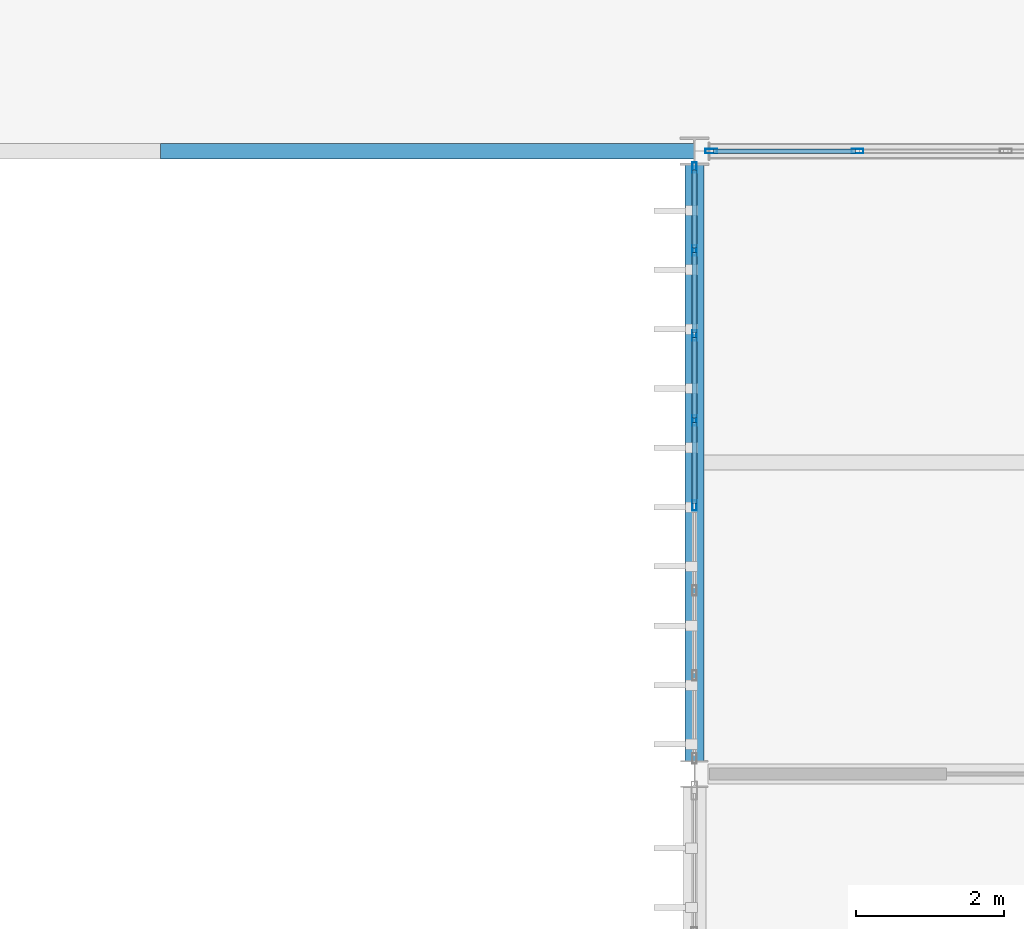
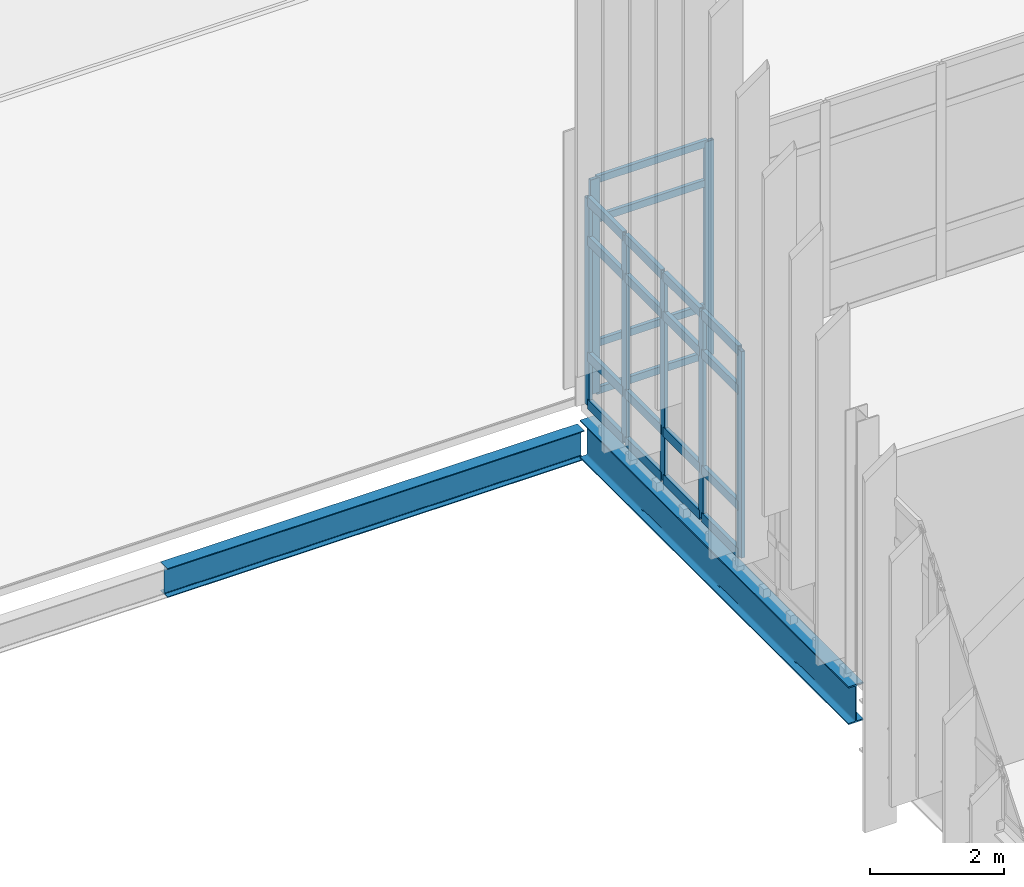
# One storey, part 25 of 153: 27 members, 2 beams, 2 elements without a shape of their own.
"""IFC4 building model written with IfcOpenShell, lengths in metres."""

from ifc_helpers import new_model, si_unit, direction, frame, origin, origin_2d, place, context, subcontext, project, spatial, hollow_rectangle, i_section, extrude, material, layer, layer_set, material_profile, profile_set, type_object, element, aggregate, save


model = new_model("IFC4")

# Units and contexts
model_context = context("Model", 3, precision=1e-05, world=origin(), true_north=direction((0.0, 1.0)))
body_context = subcontext(model_context, "Body", "Model", "MODEL_VIEW")
ifc_project = project(units=[si_unit("LENGTHUNIT", "METRE"), si_unit("AREAUNIT", "SQUARE_METRE"), si_unit("VOLUMEUNIT", "CUBIC_METRE"), si_unit("PLANEANGLEUNIT", "RADIAN"), si_unit("MASSUNIT", "GRAM", prefix="KILO")], contexts=[model_context])

# Site, building, storey
site_placement = place(None, origin())
site = spatial("IfcSite", under=ifc_project, at=site_placement, CompositionType="ELEMENT")
building_placement = place(site_placement, origin())
building = spatial("IfcBuilding", under=site, at=building_placement, Name="Calvrana Isthmian Art Gallery", CompositionType="ELEMENT")
storey_placement = place(building_placement, frame((0.0, 0.0, 10.199951171875)))
storey = spatial("IfcBuildingStorey", under=building, at=storey_placement, Name="L02", CompositionType="ELEMENT", Elevation=10.199951171875)

# Beams
ifc_material_1 = material(Name="Steel ASTM A992 Gr 50", Category="steel")
ifc_material_profile_1 = material_profile(ifc_material_1, i_section(OverallWidth=0.208984375, OverallDepth=0.532958984375, WebThickness=0.01025390625, FlangeThickness=0.015625, FilletRadius=0.02099609375, at=origin_2d()), Name="W21X62")
ifc_profile_set_1 = profile_set([ifc_material_profile_1], Name="Steel ASTM A992 Gr 50")
beam_type_1 = type_object("IfcBeamType", Name="BM-G-W21X62", PredefinedType="BEAM", material=ifc_profile_set_1)
beam_1_placement = place(storey_placement, frame((14.39990234375, 46.800048828125, -0.820068359375), z_axis=(1.0, 0.0, 0.0), x_axis=(0.0, 1.0, 0.0)))
element("IfcBeam", 1, at=beam_1_placement, inside=storey, type_object=beam_type_1, Name="Sloped roof rafter SROOF_V3_S-3", PredefinedType="BEAM", context=body_context, shape_type="SweptSolid", body=[
    extrude(i_section(OverallWidth=0.208984375, OverallDepth=0.532958984375, WebThickness=0.01025390625, FlangeThickness=0.015625, FilletRadius=0.02099609375, at=origin_2d()), origin(), (0.0, 0.0, 1.0), 7.2001953125),
])
ifc_material_profile_2 = material_profile(ifc_material_1, i_section(OverallWidth=0.257080078125, OverallDepth=0.693115234375, WebThickness=0.014404296875, FlangeThickness=0.023681640625, FilletRadius=0.02392578125, at=origin_2d()), Name="W27X114")
ifc_profile_set_2 = profile_set([ifc_material_profile_2], Name="Steel ASTM A992 Gr 50")
beam_type_2 = type_object("IfcBeamType", Name="BM-G-W27X114", PredefinedType="BEAM", material=ifc_profile_set_2)
beam_2_placement = place(storey_placement, frame((21.60009765625, 38.577880859375, -0.611572265625), z_axis=(0.0, 1.0, 0.0), x_axis=(-1.0, 0.0, 0.0)))
element("IfcBeam", 2, at=beam_2_placement, inside=storey, type_object=beam_type_2, Name="Girder Y L02 04/F-G", PredefinedType="BEAM", context=body_context, shape_type="SweptSolid", body=[
    extrude(i_section(OverallWidth=0.257080078125, OverallDepth=0.693115234375, WebThickness=0.014404296875, FlangeThickness=0.023681640625, FilletRadius=0.02392578125, at=origin_2d()), origin(), (0.0, 0.0, 1.0), 8.0341796875),
])

# Curtain wall, members
ifc_material_2 = material(Name="Anodized bronze aluminium 6063-T6", Category="aluminium")
ifc_layer_1 = layer(ifc_material_2, 0.179931640625, Name="Anodized bronze aluminium 6063-T6")
ifc_layer_set_1 = layer_set([ifc_layer_1], Name="Anodized bronze aluminium 6063-T6")
curtain_wall_type_1 = type_object("IfcCurtainWallType", Name="CW-UNIT-080X38", PredefinedType="USERDEFINED", material=ifc_layer_set_1)
curtain_wall_1_placement = place(storey_placement, origin())
curtain_wall_1 = element("IfcCurtainWall", 3, at=curtain_wall_1_placement, inside=storey, type_object=curtain_wall_type_1, Name="Curtain wall CW-168", ObjectType="UNITISED CURTAIN WALL", PredefinedType="USERDEFINED")
ifc_material_profile_3 = material_profile(ifc_material_2, hollow_rectangle(XDim=0.06005859375, YDim=0.139892578125, WallThickness=0.00390625, at=origin_2d()), Name="CWM60X140")
ifc_profile_set_3 = profile_set([ifc_material_profile_3], Name="Anodized bronze aluminium 6063-T6")
member_type_1 = type_object("IfcMemberType", Name="CWM-CWM60X140", PredefinedType="MULLION", material=ifc_profile_set_3)
member_1_placement = place(storey_placement, frame((21.60009765625, 42.02197265625, 0.0), z_axis=(0.0, 0.0, 1.0), x_axis=(-1.0, 0.0, 0.0)))
member_1 = element("IfcMember", 4, at=member_1_placement, type_object=member_type_1, Name="CW-168 mullion 4", PredefinedType="MULLION", context=body_context, shape_type="SweptSolid", body=[
    extrude(hollow_rectangle(XDim=0.06005859375, YDim=0.139892578125, WallThickness=0.00390625, at=origin_2d()), origin(), (0.0, 0.0, 1.0), 3.76806640625),
])
member_2_placement = place(storey_placement, frame((21.60009765625, 43.1689453125, 0.0), z_axis=(0.0, 0.0, 1.0), x_axis=(-1.0, 0.0, 0.0)))
member_2 = element("IfcMember", 5, at=member_2_placement, type_object=member_type_1, Name="CW-168 mullion 5", PredefinedType="MULLION", context=body_context, shape_type="SweptSolid", body=[
    extrude(hollow_rectangle(XDim=0.06005859375, YDim=0.139892578125, WallThickness=0.00390625, at=origin_2d()), origin(), (0.0, 0.0, 1.0), 3.76806640625),
])
member_3_placement = place(storey_placement, frame((21.60009765625, 44.315673828125, 0.0), z_axis=(0.0, 0.0, 1.0), x_axis=(-1.0, 0.0, 0.0)))
member_3 = element("IfcMember", 6, at=member_3_placement, type_object=member_type_1, Name="CW-168 mullion 6", PredefinedType="MULLION", context=body_context, shape_type="SweptSolid", body=[
    extrude(hollow_rectangle(XDim=0.06005859375, YDim=0.139892578125, WallThickness=0.00390625, at=origin_2d()), origin(), (0.0, 0.0, 1.0), 3.76806640625),
])
member_4_placement = place(storey_placement, frame((21.60009765625, 45.462646484375, 0.0), z_axis=(0.0, 0.0, 1.0), x_axis=(-1.0, 0.0, 0.0)))
member_4 = element("IfcMember", 7, at=member_4_placement, type_object=member_type_1, Name="CW-168 mullion 7", PredefinedType="MULLION", context=body_context, shape_type="SweptSolid", body=[
    extrude(hollow_rectangle(XDim=0.06005859375, YDim=0.139892578125, WallThickness=0.00390625, at=origin_2d()), origin(), (0.0, 0.0, 1.0), 3.76806640625),
])
member_5_placement = place(storey_placement, frame((21.60009765625, 46.57958984375, 0.0), z_axis=(0.0, 0.0, 1.0), x_axis=(-1.0, 0.0, 0.0)))
member_5 = element("IfcMember", 8, at=member_5_placement, type_object=member_type_1, Name="CW-168 mullion 8", PredefinedType="MULLION", context=body_context, shape_type="SweptSolid", body=[
    extrude(hollow_rectangle(XDim=0.06005859375, YDim=0.139892578125, WallThickness=0.00390625, at=origin_2d()), origin(), (0.0, 0.0, 1.0), 3.76806640625),
])

ifc_layer_2 = layer(ifc_material_2, 0.179931640625, Name="Anodized bronze aluminium 6063-T6")
ifc_layer_set_2 = layer_set([ifc_layer_2], Name="Anodized bronze aluminium 6063-T6")
curtain_wall_type_2 = type_object("IfcCurtainWallType", Name="CW-STICK-080X39", PredefinedType="NOTDEFINED", material=ifc_layer_set_2)
curtain_wall_2_placement = place(storey_placement, origin())
curtain_wall_2 = element("IfcCurtainWall", 9, at=curtain_wall_2_placement, inside=storey, type_object=curtain_wall_type_2, Name="Curtain wall CW-151", PredefinedType="NOTDEFINED")
ifc_material_profile_4 = material_profile(ifc_material_2, hollow_rectangle(XDim=0.06005859375, YDim=0.159912109375, WallThickness=0.00390625, at=origin_2d()), Name="CWM60X160")
ifc_profile_set_4 = profile_set([ifc_material_profile_4], Name="Anodized bronze aluminium 6063-T6")
member_type_2 = type_object("IfcMemberType", Name="CWM-CWM60X160", PredefinedType="MULLION", material=ifc_profile_set_4)
member_6_placement = place(storey_placement, frame((21.827880859375, 46.800048828125, 0.0), z_axis=(0.0, 0.0, 1.0), x_axis=(0.0, 1.0, 0.0)))
member_6 = element("IfcMember", 10, at=member_6_placement, type_object=member_type_2, Name="CW-151 mullion 1", PredefinedType="MULLION", context=body_context, shape_type="SweptSolid", body=[
    extrude(hollow_rectangle(XDim=0.06005859375, YDim=0.159912109375, WallThickness=0.00390625, at=origin_2d()), origin(), (0.0, 0.0, 1.0), 3.91796875),
])
member_7_placement = place(storey_placement, frame((23.79931640625, 46.800048828125, 0.0), z_axis=(0.0, 0.0, 1.0), x_axis=(0.0, 1.0, 0.0)))
member_7 = element("IfcMember", 11, at=member_7_placement, type_object=member_type_2, Name="CW-151 mullion 2", PredefinedType="MULLION", context=body_context, shape_type="SweptSolid", body=[
    extrude(hollow_rectangle(XDim=0.06005859375, YDim=0.159912109375, WallThickness=0.00390625, at=origin_2d()), origin(), (0.0, 0.0, 1.0), 3.91796875),
])
ifc_material_profile_5 = material_profile(ifc_material_2, hollow_rectangle(XDim=0.06005859375, YDim=0.1298828125, WallThickness=0.00390625, at=origin_2d()), Name="CWT60X130")
ifc_profile_set_5 = profile_set([ifc_material_profile_5], Name="Anodized bronze aluminium 6063-T6")
member_type_3 = type_object("IfcMemberType", Name="CWT-CWT60X130", PredefinedType="USERDEFINED", material=ifc_profile_set_5)
member_8_placement = place(storey_placement, frame((21.85791015625, 46.800048828125, 0.030029296875), z_axis=(1.0, 0.0, 0.0), x_axis=(0.0, 1.0, 0.0)))
member_8 = element("IfcMember", 12, at=member_8_placement, type_object=member_type_3, Name="CW-151 transom 1.1", ObjectType="TRANSOM", PredefinedType="USERDEFINED", context=body_context, shape_type="SweptSolid", body=[
    extrude(hollow_rectangle(XDim=0.06005859375, YDim=0.1298828125, WallThickness=0.00390625, at=origin_2d()), origin(), (0.0, 0.0, 1.0), 1.911376953125),
])
member_9_placement = place(storey_placement, frame((21.85791015625, 46.800048828125, 0.900146484375), z_axis=(1.0, 0.0, 0.0), x_axis=(0.0, 1.0, 0.0)))
member_9 = element("IfcMember", 13, at=member_9_placement, type_object=member_type_3, Name="CW-151 transom 1.2", ObjectType="TRANSOM", PredefinedType="USERDEFINED", context=body_context, shape_type="SweptSolid", body=[
    extrude(hollow_rectangle(XDim=0.06005859375, YDim=0.1298828125, WallThickness=0.00390625, at=origin_2d()), origin(), (0.0, 0.0, 1.0), 1.911376953125),
])
member_10_placement = place(storey_placement, frame((21.85791015625, 46.800048828125, 3.16796875), z_axis=(1.0, 0.0, 0.0), x_axis=(0.0, 1.0, 0.0)))
member_10 = element("IfcMember", 14, at=member_10_placement, type_object=member_type_3, Name="CW-151 transom 1.3", ObjectType="TRANSOM", PredefinedType="USERDEFINED", context=body_context, shape_type="SweptSolid", body=[
    extrude(hollow_rectangle(XDim=0.06005859375, YDim=0.1298828125, WallThickness=0.00390625, at=origin_2d()), origin(), (0.0, 0.0, 1.0), 1.911376953125),
])
member_11_placement = place(storey_placement, frame((21.85791015625, 46.800048828125, 3.887939453125), z_axis=(1.0, 0.0, 0.0), x_axis=(0.0, 1.0, 0.0)))
member_11 = element("IfcMember", 15, at=member_11_placement, type_object=member_type_3, Name="CW-151 transom 1.4", ObjectType="TRANSOM", PredefinedType="USERDEFINED", context=body_context, shape_type="SweptSolid", body=[
    extrude(hollow_rectangle(XDim=0.06005859375, YDim=0.1298828125, WallThickness=0.00390625, at=origin_2d()), origin(), (0.0, 0.0, 1.0), 1.911376953125),
])
aggregate(curtain_wall_2, [member_6, member_7, member_8, member_9, member_10, member_11])

# Member
ifc_material_profile_6 = material_profile(ifc_material_2, hollow_rectangle(XDim=0.070068359375, YDim=0.169921875, WallThickness=0.00439453125, at=origin_2d()), Name="CWT70X170")
ifc_profile_set_6 = profile_set([ifc_material_profile_6], Name="Anodized bronze aluminium 6063-T6")
member_type_4 = type_object("IfcMemberType", Name="CWT-CWT70X170", PredefinedType="USERDEFINED", material=ifc_profile_set_6)
member_12_placement = place(storey_placement, frame((21.60009765625, 42.052001953125, 0.03515625), z_axis=(0.0, 1.0, 0.0), x_axis=(-1.0, 0.0, 0.0)))
member_12 = element("IfcMember", 16, at=member_12_placement, type_object=member_type_4, Name="CW-168 transom 4.1", ObjectType="TRANSOM", PredefinedType="USERDEFINED", context=body_context, shape_type="SweptSolid", body=[
    extrude(hollow_rectangle(XDim=0.070068359375, YDim=0.169921875, WallThickness=0.00439453125, at=origin_2d()), origin(), (0.0, 0.0, 1.0), 1.0869140625),
])

member_13_placement = place(storey_placement, frame((21.60009765625, 42.052001953125, 0.900146484375), z_axis=(0.0, 1.0, 0.0), x_axis=(-1.0, 0.0, 0.0)))
member_13 = element("IfcMember", 17, at=member_13_placement, type_object=member_type_4, Name="CW-168 transom 4.2", ObjectType="TRANSOM", PredefinedType="USERDEFINED", context=body_context, shape_type="SweptSolid", body=[
    extrude(hollow_rectangle(XDim=0.070068359375, YDim=0.169921875, WallThickness=0.00439453125, at=origin_2d()), origin(), (0.0, 0.0, 1.0), 1.0869140625),
])

member_14_placement = place(storey_placement, frame((21.60009765625, 42.052001953125, 3.01806640625), z_axis=(0.0, 1.0, 0.0), x_axis=(-1.0, 0.0, 0.0)))
member_14 = element("IfcMember", 18, at=member_14_placement, type_object=member_type_4, Name="CW-168 transom 4.3", ObjectType="TRANSOM", PredefinedType="USERDEFINED", context=body_context, shape_type="SweptSolid", body=[
    extrude(hollow_rectangle(XDim=0.070068359375, YDim=0.169921875, WallThickness=0.00439453125, at=origin_2d()), origin(), (0.0, 0.0, 1.0), 1.0869140625),
])

member_15_placement = place(storey_placement, frame((21.60009765625, 42.052001953125, 3.733154296875), z_axis=(0.0, 1.0, 0.0), x_axis=(-1.0, 0.0, 0.0)))
member_15 = element("IfcMember", 19, at=member_15_placement, type_object=member_type_4, Name="CW-168 transom 4.4", ObjectType="TRANSOM", PredefinedType="USERDEFINED", context=body_context, shape_type="SweptSolid", body=[
    extrude(hollow_rectangle(XDim=0.070068359375, YDim=0.169921875, WallThickness=0.00439453125, at=origin_2d()), origin(), (0.0, 0.0, 1.0), 1.0869140625),
])

member_16_placement = place(storey_placement, frame((21.60009765625, 43.198974609375, 0.03515625), z_axis=(0.0, 1.0, 0.0), x_axis=(-1.0, 0.0, 0.0)))
member_16 = element("IfcMember", 20, at=member_16_placement, type_object=member_type_4, Name="CW-168 transom 5.1", ObjectType="TRANSOM", PredefinedType="USERDEFINED", context=body_context, shape_type="SweptSolid", body=[
    extrude(hollow_rectangle(XDim=0.070068359375, YDim=0.169921875, WallThickness=0.00439453125, at=origin_2d()), origin(), (0.0, 0.0, 1.0), 1.0869140625),
])

member_17_placement = place(storey_placement, frame((21.60009765625, 43.198974609375, 0.900146484375), z_axis=(0.0, 1.0, 0.0), x_axis=(-1.0, 0.0, 0.0)))
member_17 = element("IfcMember", 21, at=member_17_placement, type_object=member_type_4, Name="CW-168 transom 5.2", ObjectType="TRANSOM", PredefinedType="USERDEFINED", context=body_context, shape_type="SweptSolid", body=[
    extrude(hollow_rectangle(XDim=0.070068359375, YDim=0.169921875, WallThickness=0.00439453125, at=origin_2d()), origin(), (0.0, 0.0, 1.0), 1.0869140625),
])

member_18_placement = place(storey_placement, frame((21.60009765625, 43.198974609375, 3.01806640625), z_axis=(0.0, 1.0, 0.0), x_axis=(-1.0, 0.0, 0.0)))
member_18 = element("IfcMember", 22, at=member_18_placement, type_object=member_type_4, Name="CW-168 transom 5.3", ObjectType="TRANSOM", PredefinedType="USERDEFINED", context=body_context, shape_type="SweptSolid", body=[
    extrude(hollow_rectangle(XDim=0.070068359375, YDim=0.169921875, WallThickness=0.00439453125, at=origin_2d()), origin(), (0.0, 0.0, 1.0), 1.0869140625),
])

member_19_placement = place(storey_placement, frame((21.60009765625, 43.198974609375, 3.733154296875), z_axis=(0.0, 1.0, 0.0), x_axis=(-1.0, 0.0, 0.0)))
member_19 = element("IfcMember", 23, at=member_19_placement, type_object=member_type_4, Name="CW-168 transom 5.4", ObjectType="TRANSOM", PredefinedType="USERDEFINED", context=body_context, shape_type="SweptSolid", body=[
    extrude(hollow_rectangle(XDim=0.070068359375, YDim=0.169921875, WallThickness=0.00439453125, at=origin_2d()), origin(), (0.0, 0.0, 1.0), 1.0869140625),
])

member_20_placement = place(storey_placement, frame((21.60009765625, 44.345703125, 0.03515625), z_axis=(0.0, 1.0, 0.0), x_axis=(-1.0, 0.0, 0.0)))
member_20 = element("IfcMember", 24, at=member_20_placement, type_object=member_type_4, Name="CW-168 transom 6.1", ObjectType="TRANSOM", PredefinedType="USERDEFINED", context=body_context, shape_type="SweptSolid", body=[
    extrude(hollow_rectangle(XDim=0.070068359375, YDim=0.169921875, WallThickness=0.00439453125, at=origin_2d()), origin(), (0.0, 0.0, 1.0), 1.0869140625),
])

member_21_placement = place(storey_placement, frame((21.60009765625, 44.345703125, 0.900146484375), z_axis=(0.0, 1.0, 0.0), x_axis=(-1.0, 0.0, 0.0)))
member_21 = element("IfcMember", 25, at=member_21_placement, type_object=member_type_4, Name="CW-168 transom 6.2", ObjectType="TRANSOM", PredefinedType="USERDEFINED", context=body_context, shape_type="SweptSolid", body=[
    extrude(hollow_rectangle(XDim=0.070068359375, YDim=0.169921875, WallThickness=0.00439453125, at=origin_2d()), origin(), (0.0, 0.0, 1.0), 1.0869140625),
])

member_22_placement = place(storey_placement, frame((21.60009765625, 44.345703125, 3.01806640625), z_axis=(0.0, 1.0, 0.0), x_axis=(-1.0, 0.0, 0.0)))
member_22 = element("IfcMember", 26, at=member_22_placement, type_object=member_type_4, Name="CW-168 transom 6.3", ObjectType="TRANSOM", PredefinedType="USERDEFINED", context=body_context, shape_type="SweptSolid", body=[
    extrude(hollow_rectangle(XDim=0.070068359375, YDim=0.169921875, WallThickness=0.00439453125, at=origin_2d()), origin(), (0.0, 0.0, 1.0), 1.0869140625),
])

member_23_placement = place(storey_placement, frame((21.60009765625, 44.345703125, 3.733154296875), z_axis=(0.0, 1.0, 0.0), x_axis=(-1.0, 0.0, 0.0)))
member_23 = element("IfcMember", 27, at=member_23_placement, type_object=member_type_4, Name="CW-168 transom 6.4", ObjectType="TRANSOM", PredefinedType="USERDEFINED", context=body_context, shape_type="SweptSolid", body=[
    extrude(hollow_rectangle(XDim=0.070068359375, YDim=0.169921875, WallThickness=0.00439453125, at=origin_2d()), origin(), (0.0, 0.0, 1.0), 1.0869140625),
])

member_24_placement = place(storey_placement, frame((21.60009765625, 45.49267578125, 0.03515625), z_axis=(0.0, 1.0, 0.0), x_axis=(-1.0, 0.0, 0.0)))
member_24 = element("IfcMember", 28, at=member_24_placement, type_object=member_type_4, Name="CW-168 transom 7.1", ObjectType="TRANSOM", PredefinedType="USERDEFINED", context=body_context, shape_type="SweptSolid", body=[
    extrude(hollow_rectangle(XDim=0.070068359375, YDim=0.169921875, WallThickness=0.00439453125, at=origin_2d()), origin(), (0.0, 0.0, 1.0), 1.056884765625),
])

member_25_placement = place(storey_placement, frame((21.60009765625, 45.49267578125, 0.900146484375), z_axis=(0.0, 1.0, 0.0), x_axis=(-1.0, 0.0, 0.0)))
member_25 = element("IfcMember", 29, at=member_25_placement, type_object=member_type_4, Name="CW-168 transom 7.2", ObjectType="TRANSOM", PredefinedType="USERDEFINED", context=body_context, shape_type="SweptSolid", body=[
    extrude(hollow_rectangle(XDim=0.070068359375, YDim=0.169921875, WallThickness=0.00439453125, at=origin_2d()), origin(), (0.0, 0.0, 1.0), 1.056884765625),
])

member_26_placement = place(storey_placement, frame((21.60009765625, 45.49267578125, 3.01806640625), z_axis=(0.0, 1.0, 0.0), x_axis=(-1.0, 0.0, 0.0)))
member_26 = element("IfcMember", 30, at=member_26_placement, type_object=member_type_4, Name="CW-168 transom 7.3", ObjectType="TRANSOM", PredefinedType="USERDEFINED", context=body_context, shape_type="SweptSolid", body=[
    extrude(hollow_rectangle(XDim=0.070068359375, YDim=0.169921875, WallThickness=0.00439453125, at=origin_2d()), origin(), (0.0, 0.0, 1.0), 1.056884765625),
])

member_27_placement = place(storey_placement, frame((21.60009765625, 45.49267578125, 3.733154296875), z_axis=(0.0, 1.0, 0.0), x_axis=(-1.0, 0.0, 0.0)))
member_27 = element("IfcMember", 31, at=member_27_placement, type_object=member_type_4, Name="CW-168 transom 7.4", ObjectType="TRANSOM", PredefinedType="USERDEFINED", context=body_context, shape_type="SweptSolid", body=[
    extrude(hollow_rectangle(XDim=0.070068359375, YDim=0.169921875, WallThickness=0.00439453125, at=origin_2d()), origin(), (0.0, 0.0, 1.0), 1.056884765625),
])

aggregate(curtain_wall_1, [member_1, member_2, member_3, member_4, member_5, member_12, member_13, member_14, member_15, member_16, member_17, member_18, member_19, member_20, member_21, member_22, member_23, member_24, member_25, member_26, member_27])

save(model, "model.ifc")
